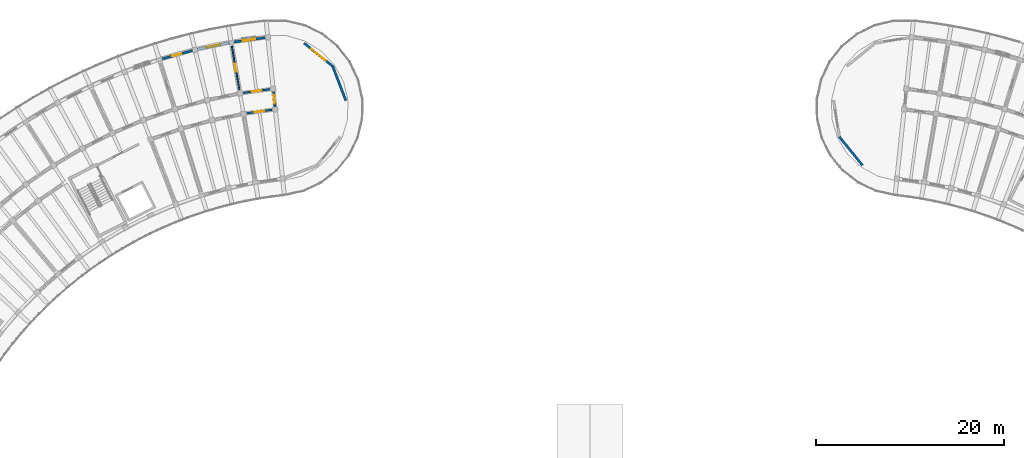
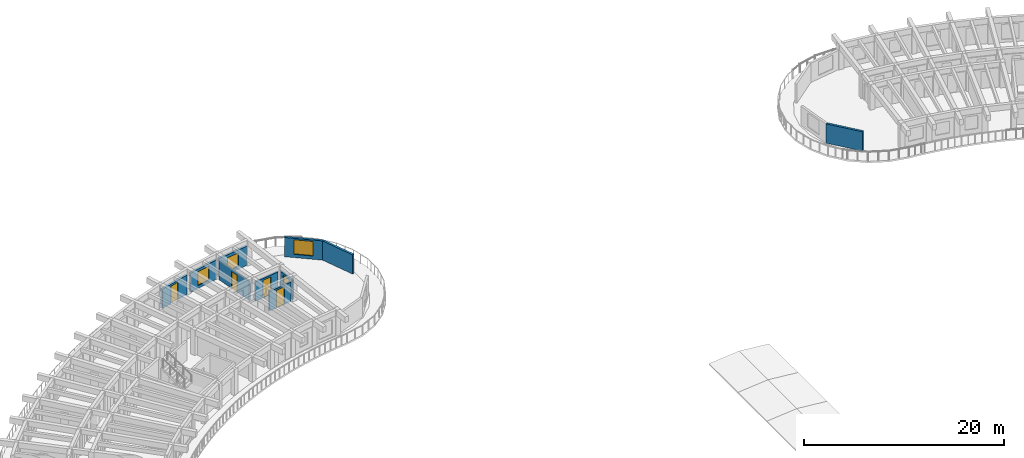
# One storey, part 37 of 69: 10 walls, 5 doors, 3 windows, 8 openings.
"""IFC4 building model written with IfcOpenShell, lengths in metres."""

from ifc_helpers import new_model, si_unit, direction, frame, frame_2d, origin, place, context, subcontext, project, spatial, rectangle, extrude, material, layer, layer_set, type_object, element, fill, save


model = new_model("IFC4")

# Units and contexts
model_context = context("Model", 3, precision=1e-05, world=origin(), true_north=direction((0.0, 1.0)))
body_context = subcontext(model_context, "Body", "Model", "MODEL_VIEW")
ifc_project = project(units=[si_unit("LENGTHUNIT", "METRE"), si_unit("AREAUNIT", "SQUARE_METRE"), si_unit("VOLUMEUNIT", "CUBIC_METRE"), si_unit("PLANEANGLEUNIT", "RADIAN"), si_unit("MASSUNIT", "GRAM", prefix="KILO")], contexts=[model_context])

# Site, building, storey
site_placement = place(None, origin())
site = spatial("IfcSite", under=ifc_project, at=site_placement, CompositionType="ELEMENT")
building_placement = place(site_placement, origin())
building = spatial("IfcBuilding", under=site, at=building_placement, Name="Tanwirah Colonnade Gardens", CompositionType="ELEMENT")
storey_placement = place(building_placement, frame((0.0, 0.0, 15.56005859375)))
storey = spatial("IfcBuildingStorey", under=building, at=storey_placement, Name="L04", CompositionType="ELEMENT", Elevation=15.56005859375)

# Wall
ifc_material_1 = material(Name="Limestone architectural precast concrete C40/50", Category="masonry")
ifc_layer_1 = layer(ifc_material_1, 0.239990234375)
ifc_layer_set_1 = layer_set([ifc_layer_1], Name="Limestone architectural precast concrete C40/50")
wall_type_1 = type_object("IfcWallType", Name="EW-PC240", PredefinedType="SOLIDWALL", material=ifc_layer_set_1)
wall_1_placement = place(storey_placement, frame((121.997802734375, 105.80712890625, 0.0), z_axis=(0.0, 0.0, 1.0), x_axis=(-0.629331205321, 0.777137204109, 0.0)))
element("IfcWall", 1, at=wall_1_placement, inside=storey, type_object=wall_type_1, Name="Block B L04 END Rounded End Wall 1", PredefinedType="SOLIDWALL", context=body_context, shape_type="SweptSolid", body=[
    extrude(rectangle(XDim=3.907958984375, YDim=0.239990234375, at=frame_2d((1.9541015625, 0.0))), origin(), (0.0, 0.0, 1.0), 2.35498046875),
])

# Wall, opening, window
ifc_layer_2 = layer(ifc_material_1, 0.2451171875)
ifc_layer_set_2 = layer_set([ifc_layer_2], Name="Limestone architectural precast concrete C40/50")
wall_type_2 = type_object("IfcWallType", Name="EW-PC245", PredefinedType="SOLIDWALL", material=ifc_layer_set_2)
wall_2_placement = place(storey_placement, frame((58.53271484375, 119.39013671875, 0.0), z_axis=(0.0, 0.0, 1.0), x_axis=(-0.990539718913, -0.137226328578, 0.0)))
wall_2 = element("IfcWall", 2, at=wall_2_placement, inside=storey, type_object=wall_type_2, Name="Block A L04 OUT Precast Facade Wall 0", PredefinedType="SOLIDWALL", context=body_context, shape_type="SweptSolid", body=[
    extrude(rectangle(XDim=3.520751953125, YDim=0.2451171875, at=frame_2d((1.76025390625, 0.0))), origin(), (0.0, 0.0, 1.0), 2.35498046875),
])
opening_1_placement = place(wall_2_placement, frame((1.085205078125, 0.0, 0.35009765625)))
opening_1 = element("IfcOpeningElement", 3, at=opening_1_placement, cuts=wall_2, Name="Opening WIN-T05", PredefinedType="OPENING", context=body_context, shape_type="SweptSolid", body=[
    extrude(rectangle(XDim=1.35009765625, YDim=1.64990234375, at=frame_2d((0.675048828125, 0.824951171875))), frame((0.0, 0.132568359375, 0.0), z_axis=(0.0, -1.0, 0.0), x_axis=(1.0, 0.0, 0.0)), (0.0, 0.0, 1.0), 0.26513671875),
])
ifc_material_2 = material(Name="Thermally broken bronze aluminium and solar low-E double glazing", Category="aluminium")
window_type_1 = type_object("IfcWindowType", Name="WIN-T05", PartitioningType="DOUBLE_PANEL_VERTICAL", PredefinedType="WINDOW", material=ifc_material_2)
window_1_placement = place(opening_1_placement, origin())
window_1 = element("IfcWindow", 4, at=window_1_placement, inside=storey, type_object=window_type_1, Name="Facade window A-L04-OUT-00", OverallHeight=1.64990234375, OverallWidth=1.35009765625, PartitioningType="SINGLE_PANEL", PredefinedType="WINDOW", context=body_context, shape_type="SweptSolid", body=[
    extrude(rectangle(XDim=1.35009765625, YDim=1.64990234375, at=frame_2d((0.675048828125, 0.824951171875))), frame((0.0, 0.030029296875, 0.0), z_axis=(0.0, -1.0, 0.0), x_axis=(1.0, 0.0, 0.0)), (0.0, 0.0, 1.0), 0.06005859375),
])
fill(opening_1, window_1)

wall_3_placement = place(storey_placement, frame((54.72998046875, 118.8525390625, 0.0), z_axis=(0.0, 0.0, 1.0), x_axis=(-0.979340051053, -0.202220336275, 0.0)))
wall_3 = element("IfcWall", 5, at=wall_3_placement, inside=storey, type_object=wall_type_2, Name="Block A L04 OUT Precast Facade Wall 1", PredefinedType="SOLIDWALL", context=body_context, shape_type="SweptSolid", body=[
    extrude(rectangle(XDim=3.5205078125, YDim=0.2451171875, at=frame_2d((1.76025390625, 0.0))), origin(), (0.0, 0.0, 1.0), 2.35498046875),
])
opening_2_placement = place(wall_3_placement, frame((1.01025390625, 0.0, 0.35009765625)))
opening_2 = element("IfcOpeningElement", 6, at=opening_2_placement, cuts=wall_3, Name="Opening WIN-T08", PredefinedType="OPENING", context=body_context, shape_type="SweptSolid", body=[
    extrude(rectangle(XDim=1.5, YDim=1.699951171875, at=frame_2d((0.75, 0.85009765625))), frame((0.0, 0.132568359375, 0.0), z_axis=(0.0, -1.0, 0.0), x_axis=(1.0, 0.0, 0.0)), (0.0, 0.0, 1.0), 0.26513671875),
])
window_type_2 = type_object("IfcWindowType", Name="WIN-T08", PartitioningType="DOUBLE_PANEL_VERTICAL", PredefinedType="WINDOW", material=ifc_material_2)
window_2_placement = place(opening_2_placement, origin())
window_2 = element("IfcWindow", 7, at=window_2_placement, inside=storey, type_object=window_type_2, Name="Facade window A-L04-OUT-01", OverallHeight=1.699951171875, OverallWidth=1.5, PartitioningType="SINGLE_PANEL", PredefinedType="WINDOW", context=body_context, shape_type="SweptSolid", body=[
    extrude(rectangle(XDim=1.5, YDim=1.699951171875, at=frame_2d((0.75, 0.85009765625))), frame((0.0, 0.030029296875, 0.0), z_axis=(0.0, -1.0, 0.0), x_axis=(1.0, 0.0, 0.0)), (0.0, 0.0, 1.0), 0.06005859375),
])
fill(opening_2, window_2)

# Wall, opening, door
wall_4_placement = place(storey_placement, frame((50.80615234375, 118.02587890625, 0.0), z_axis=(0.0, 0.0, 1.0), x_axis=(-0.963899390209, -0.266266718826, 0.0)))
wall_4 = element("IfcWall", 8, at=wall_4_placement, inside=storey, type_object=wall_type_2, Name="Block A L04 OUT Precast Facade Wall 2", PredefinedType="SOLIDWALL", context=body_context, shape_type="SweptSolid", body=[
    extrude(rectangle(XDim=3.52099609375, YDim=0.2451171875, at=frame_2d((1.760498046875, 0.0))), origin(), (0.0, 0.0, 1.0), 2.35498046875),
])
opening_3_placement = place(wall_4_placement, frame((1.2705078125, 0.0, 0.0)))
opening_3 = element("IfcOpeningElement", 9, at=opening_3_placement, cuts=wall_4, Name="Opening L04-ED017", PredefinedType="OPENING", context=body_context, shape_type="SweptSolid", body=[
    extrude(rectangle(XDim=0.97998046875, YDim=2.1201171875, at=frame_2d((0.489990234375, 1.06005859375))), frame((0.0, 0.132568359375, 0.0), z_axis=(0.0, -1.0, 0.0), x_axis=(1.0, 0.0, 0.0)), (0.0, 0.0, 1.0), 0.26513671875),
])
ifc_material_3 = material(Name="Bronze aluminium glazed balcony door", Category="aluminium")
door_type_1 = type_object("IfcDoorType", Name="ED-BAL098", OperationType="NOTDEFINED", PredefinedType="DOOR", material=ifc_material_3)
door_1_placement = place(opening_3_placement, origin())
door_1 = element("IfcDoor", 10, at=door_1_placement, inside=storey, type_object=door_type_1, Name="Balcony glazed door L04-ED017", OperationType="SINGLE_SWING_LEFT", OverallHeight=2.1201171875, OverallWidth=0.97998046875, PredefinedType="DOOR", context=body_context, shape_type="SweptSolid", body=[
    extrude(rectangle(XDim=0.97998046875, YDim=2.1201171875, at=frame_2d((0.489990234375, 1.06005859375))), frame((0.0, 0.02490234375, 0.0), z_axis=(0.0, -1.0, 0.0), x_axis=(1.0, 0.0, 0.0)), (0.0, 0.0, 1.0), 0.050048828125),
])
fill(opening_3, door_1)

# Wall, opening, window
wall_5_placement = place(storey_placement, frame((62.635498046875, 118.8125, 0.0), z_axis=(0.0, 0.0, 1.0), x_axis=(0.777137204109, -0.629331205321, 0.0)))
wall_5 = element("IfcWall", 11, at=wall_5_placement, inside=storey, type_object=wall_type_2, Name="Block A L04 START Rounded End Wall 1", PredefinedType="SOLIDWALL", context=body_context, shape_type="SweptSolid", body=[
    extrude(rectangle(XDim=3.907958984375, YDim=0.2451171875, at=frame_2d((1.9541015625, 0.0))), origin(), (0.0, 0.0, 1.0), 2.35498046875),
])
opening_4_placement = place(wall_5_placement, frame((0.97900390625, 0.0, 0.39990234375)))
opening_4 = element("IfcOpeningElement", 12, at=opening_4_placement, cuts=wall_5, Name="Opening WIN-END2", PredefinedType="OPENING", context=body_context, shape_type="SweptSolid", body=[
    extrude(rectangle(XDim=1.949951171875, YDim=1.780029296875, at=frame_2d((0.97509765625, 0.89013671875))), frame((0.0, 0.132568359375, 0.0), z_axis=(0.0, -1.0, 0.0), x_axis=(1.0, 0.0, 0.0)), (0.0, 0.0, 1.0), 0.26513671875),
])
window_type_3 = type_object("IfcWindowType", Name="WIN-END2", PartitioningType="TRIPLE_PANEL_VERTICAL", PredefinedType="WINDOW", material=ifc_material_2)
window_3_placement = place(opening_4_placement, origin())
window_3 = element("IfcWindow", 13, at=window_3_placement, inside=storey, type_object=window_type_3, Name="Rounded corner window A-L04-START-1", OverallHeight=1.780029296875, OverallWidth=1.949951171875, PartitioningType="SINGLE_PANEL", PredefinedType="WINDOW", context=body_context, shape_type="SweptSolid", body=[
    extrude(rectangle(XDim=1.949951171875, YDim=1.780029296875, at=frame_2d((0.97509765625, 0.89013671875))), frame((0.0, 0.030029296875, 0.0), z_axis=(0.0, -1.0, 0.0), x_axis=(1.0, 0.0, 0.0)), (0.0, 0.0, 1.0), 0.06005859375),
])
fill(opening_4, window_3)

# Wall
wall_6_placement = place(storey_placement, frame((65.672607421875, 116.35302734375, 0.0), z_axis=(0.0, 0.0, 1.0), x_axis=(0.358376224971, -0.933577249817, 0.0)))
element("IfcWall", 14, at=wall_6_placement, inside=storey, type_object=wall_type_2, Name="Block A L04 START Rounded End Wall 2", PredefinedType="SOLIDWALL", context=body_context, shape_type="SweptSolid", body=[
    extrude(rectangle(XDim=3.908203125, YDim=0.2451171875, at=frame_2d((1.9541015625, 0.0))), origin(), (0.0, 0.0, 1.0), 2.35498046875),
])

# Wall, opening, door
ifc_material_4 = material(Name="Precast concrete C40/50", Category="concrete")
ifc_layer_3 = layer(ifc_material_4, 0.205078125)
ifc_layer_set_3 = layer_set([ifc_layer_3], Name="Precast concrete C40/50")
wall_type_3 = type_object("IfcWallType", Name="IW-CORR205", PredefinedType="PARTITIONING", material=ifc_layer_set_3)
wall_7_placement = place(storey_placement, frame((59.003662109375, 113.90576171875, 0.0), z_axis=(0.0, 0.0, 1.0), x_axis=(-0.990544162976, -0.137194246211, 0.0)))
wall_7 = element("IfcWall", 15, at=wall_7_placement, inside=storey, type_object=wall_type_3, Name="Block A L04 OUT Corridor Wall 0", PredefinedType="PARTITIONING", context=body_context, shape_type="SweptSolid", body=[
    extrude(rectangle(XDim=2.86328125, YDim=0.205078125, at=frame_2d((1.431640625, 0.0))), origin(), (0.0, 0.0, 1.0), 2.369873046875),
])
opening_5_placement = place(wall_7_placement, frame((0.9365234375, 0.0, 0.0)))
opening_5 = element("IfcOpeningElement", 16, at=opening_5_placement, cuts=wall_7, Name="Opening L04-AD389", PredefinedType="OPENING", context=body_context, shape_type="SweptSolid", body=[
    extrude(rectangle(XDim=0.989990234375, YDim=2.159912109375, at=frame_2d((0.4951171875, 1.080078125))), frame((0.0, 0.112548828125, 0.0), z_axis=(0.0, -1.0, 0.0), x_axis=(1.0, 0.0, 0.0)), (0.0, 0.0, 1.0), 0.22509765625),
])
ifc_material_5 = material(Name="Solid oak fire-resisting apartment entrance door")
door_type_2 = type_object("IfcDoorType", Name="ID-FLT099", OperationType="NOTDEFINED", PredefinedType="DOOR", material=ifc_material_5)
door_2_placement = place(opening_5_placement, origin())
door_2 = element("IfcDoor", 17, at=door_2_placement, inside=storey, type_object=door_type_2, Name="Apartment corridor door L04-AD389", OperationType="SINGLE_SWING_LEFT", OverallHeight=2.159912109375, OverallWidth=0.989990234375, PredefinedType="DOOR", context=body_context, shape_type="SweptSolid", body=[
    extrude(rectangle(XDim=0.989990234375, YDim=2.159912109375, at=frame_2d((0.4951171875, 1.080078125))), frame((0.0, 0.02490234375, 0.0), z_axis=(0.0, -1.0, 0.0), x_axis=(1.0, 0.0, 0.0)), (0.0, 0.0, 1.0), 0.050048828125),
])
fill(opening_5, door_2)

wall_8_placement = place(storey_placement, frame((59.2333984375, 111.718017578125, 0.0), z_axis=(0.0, 0.0, 1.0), x_axis=(-0.990535404475, -0.137257467855, 0.0)))
wall_8 = element("IfcWall", 18, at=wall_8_placement, inside=storey, type_object=wall_type_3, Name="Block A L04 IN Corridor Wall 0", PredefinedType="PARTITIONING", context=body_context, shape_type="SweptSolid", body=[
    extrude(rectangle(XDim=2.7177734375, YDim=0.205078125, at=frame_2d((1.35888671875, 0.0))), origin(), (0.0, 0.0, 1.0), 2.369873046875),
])
opening_6_placement = place(wall_8_placement, frame((0.864013671875, 0.0, 0.0)))
opening_6 = element("IfcOpeningElement", 19, at=opening_6_placement, cuts=wall_8, Name="Opening L04-AD390", PredefinedType="OPENING", context=body_context, shape_type="SweptSolid", body=[
    extrude(rectangle(XDim=0.989990234375, YDim=2.159912109375, at=frame_2d((0.4951171875, 1.080078125))), frame((0.0, 0.112548828125, 0.0), z_axis=(0.0, -1.0, 0.0), x_axis=(1.0, 0.0, 0.0)), (0.0, 0.0, 1.0), 0.22509765625),
])
door_3_placement = place(opening_6_placement, origin())
door_3 = element("IfcDoor", 20, at=door_3_placement, inside=storey, type_object=door_type_2, Name="Apartment corridor door L04-AD390", OperationType="SINGLE_SWING_RIGHT", OverallHeight=2.159912109375, OverallWidth=0.989990234375, PredefinedType="DOOR", context=body_context, shape_type="SweptSolid", body=[
    extrude(rectangle(XDim=0.989990234375, YDim=2.159912109375, at=frame_2d((0.4951171875, 1.080078125))), frame((0.0, 0.02490234375, 0.0), z_axis=(0.0, -1.0, 0.0), x_axis=(1.0, 0.0, 0.0)), (0.0, 0.0, 1.0), 0.050048828125),
])
fill(opening_6, door_3)

wall_9_placement = place(storey_placement, frame((59.574951171875, 111.815673828125, 0.0), z_axis=(0.0, 0.0, 1.0), x_axis=(-0.104509292252, 0.994523910136, 0.0)))
wall_9 = element("IfcWall", 21, at=wall_9_placement, inside=storey, type_object=wall_type_3, Name="Block A L04 CS Corner Suite Corridor Wall", PredefinedType="PARTITIONING", context=body_context, shape_type="SweptSolid", body=[
    extrude(rectangle(XDim=2.10009765625, YDim=0.205078125, at=frame_2d((1.050048828125, 0.0))), origin(), (0.0, 0.0, 1.0), 2.369873046875),
])
opening_7_placement = place(wall_9_placement, frame((0.570068359375, 0.0, 0.0)))
opening_7 = element("IfcOpeningElement", 22, at=opening_7_placement, cuts=wall_9, Name="Opening L04-CD429", PredefinedType="OPENING", context=body_context, shape_type="SweptSolid", body=[
    extrude(rectangle(XDim=0.949951171875, YDim=2.1298828125, at=frame_2d((0.47509765625, 1.06494140625))), frame((0.0, 0.112548828125, 0.0), z_axis=(0.0, -1.0, 0.0), x_axis=(1.0, 0.0, 0.0)), (0.0, 0.0, 1.0), 0.22509765625),
])
door_type_3 = type_object("IfcDoorType", Name="ID-FLT095", OperationType="NOTDEFINED", PredefinedType="DOOR", material=ifc_material_5)
door_4_placement = place(opening_7_placement, origin())
door_4 = element("IfcDoor", 23, at=door_4_placement, inside=storey, type_object=door_type_3, Name="Corner suite entrance door L04-CD429", OperationType="SINGLE_SWING_LEFT", OverallHeight=2.1298828125, OverallWidth=0.949951171875, PredefinedType="DOOR", context=body_context, shape_type="SweptSolid", body=[
    extrude(rectangle(XDim=0.949951171875, YDim=2.1298828125, at=frame_2d((0.47509765625, 1.06494140625))), frame((0.0, 0.02490234375, 0.0), z_axis=(0.0, -1.0, 0.0), x_axis=(1.0, 0.0, 0.0)), (0.0, 0.0, 1.0), 0.050048828125),
])
fill(opening_7, door_4)

ifc_material_6 = material(Name="Water-resistant acoustic plumbing partition")
ifc_layer_4 = layer(ifc_material_6, 0.139892578125)
ifc_layer_set_4 = layer_set([ifc_layer_4], Name="Water-resistant acoustic plumbing partition")
wall_type_4 = type_object("IfcWallType", Name="IW-WET140", PredefinedType="PLUMBINGWALL", material=ifc_layer_set_4)
wall_10_placement = place(storey_placement, frame((55.7529296875, 113.859130859375, 0.0), z_axis=(0.0, 0.0, 1.0), x_axis=(-0.169812980219, 0.985476307046, 0.0)))
wall_10 = element("IfcWall", 24, at=wall_10_placement, inside=storey, type_object=wall_type_4, Name="Block A L04 Radial Partition 0", PredefinedType="PLUMBINGWALL", context=body_context, shape_type="SweptSolid", body=[
    extrude(rectangle(XDim=4.699951171875, YDim=0.139892578125, at=frame_2d((2.35009765625, 0.0))), origin(), (0.0, 0.0, 1.0), 2.369873046875),
])
opening_8_placement = place(wall_10_placement, frame((1.919921875, 0.0, 0.0)))
opening_8 = element("IfcOpeningElement", 25, at=opening_8_placement, cuts=wall_10, Name="Opening L04-RD391", PredefinedType="OPENING", context=body_context, shape_type="SweptSolid", body=[
    extrude(rectangle(XDim=0.860107421875, YDim=2.06005859375, at=frame_2d((0.43017578125, 1.030029296875))), frame((0.0, 0.079833984375, 0.0), z_axis=(0.0, -1.0, 0.0), x_axis=(1.0, 0.0, 0.0)), (0.0, 0.0, 1.0), 0.159912109375),
])
ifc_material_7 = material(Name="Moisture-resistant bathroom door")
door_type_4 = type_object("IfcDoorType", Name="ID-WET086", OperationType="NOTDEFINED", PredefinedType="DOOR", material=ifc_material_7)
door_5_placement = place(opening_8_placement, origin())
door_5 = element("IfcDoor", 26, at=door_5_placement, inside=storey, type_object=door_type_4, Name="Internal apartment door L04-RD391", OperationType="SINGLE_SWING_LEFT", OverallHeight=2.06005859375, OverallWidth=0.860107421875, PredefinedType="DOOR", context=body_context, shape_type="SweptSolid", body=[
    extrude(rectangle(XDim=0.860107421875, YDim=2.06005859375, at=frame_2d((0.43017578125, 1.030029296875))), frame((0.0, 0.02490234375, 0.0), z_axis=(0.0, -1.0, 0.0), x_axis=(1.0, 0.0, 0.0)), (0.0, 0.0, 1.0), 0.050048828125),
])
fill(opening_8, door_5)

save(model, "model.ifc")
